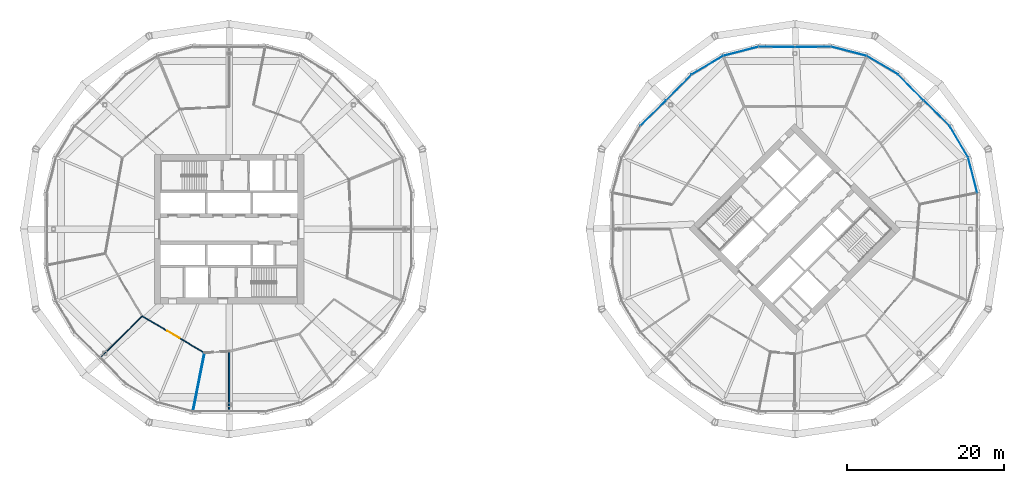
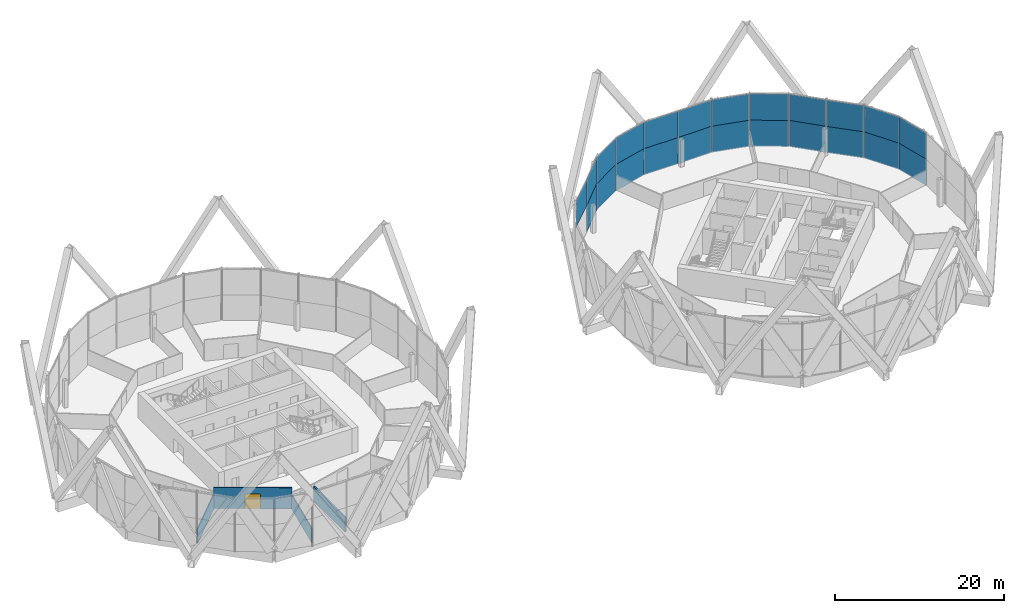
# One storey, part 21 of 28: 23 plates, 4 walls, 1 door, 1 opening, 4 elements without a shape of their own.
"""IFC4 building model written with IfcOpenShell, lengths in metres."""

from ifc_helpers import new_model, si_unit, direction, frame, frame_2d, origin, origin_2d, place, context, subcontext, project, spatial, rectangle, extrude, material, layer, layer_set, type_object, element, fill, aggregate, save


model = new_model("IFC4")

# Units and contexts
model_context = context("Model", 3, precision=1e-05, world=origin(), true_north=direction((0.0, 1.0)))
body_context = subcontext(model_context, "Body", "Model", "MODEL_VIEW")
ifc_project = project(units=[si_unit("LENGTHUNIT", "METRE"), si_unit("AREAUNIT", "SQUARE_METRE"), si_unit("VOLUMEUNIT", "CUBIC_METRE"), si_unit("PLANEANGLEUNIT", "RADIAN"), si_unit("MASSUNIT", "GRAM", prefix="KILO")], contexts=[model_context])

# Site, building, storey
site_placement = place(None, origin())
site = spatial("IfcSite", under=ifc_project, at=site_placement, CompositionType="ELEMENT")
building_placement = place(site_placement, origin())
building = spatial("IfcBuilding", under=site, at=building_placement, Name="Ogive Gate Towers", CompositionType="ELEMENT")
storey_placement = place(building_placement, frame((0.0, 0.0, 115.199951171875)))
storey = spatial("IfcBuildingStorey", under=building, at=storey_placement, Name="L27", CompositionType="ELEMENT", Elevation=115.199951171875)

# Curtain wall, plates
ifc_material_1 = material(Name="Pale metal aluminium", Category="aluminium")
curtain_wall_type = type_object("IfcCurtainWallType", Name="Tower unitised wall, low zone", PredefinedType="NOTDEFINED", material=ifc_material_1)
curtain_wall_1_placement = place(storey_placement, origin())
curtain_wall_1 = element("IfcCurtainWall", 1, at=curtain_wall_1_placement, inside=storey, type_object=curtain_wall_type, Name="CW1 T2 ECW01", PredefinedType="NOTDEFINED")
ifc_material_2 = material(Name="Clear glass", Category="glass")
ifc_layer_1 = layer(ifc_material_2, 0.028076171875)
ifc_layer_set_1 = layer_set([ifc_layer_1], Name="Tower unitised wall, low zone glass panel")
plate_type = type_object("IfcPlateType", Name="Tower unitised wall, low zone glass panel", PredefinedType="CURTAIN_PANEL", material=ifc_layer_set_1)
plate_1_placement = place(storey_placement, frame((58.626220703125, 6.869873046875, -0.2041015625), z_axis=(0.0, 0.0, 1.0), x_axis=(-0.248977260623, 0.96850933072, 0.0)))
plate_1 = element("IfcPlate", 2, at=plate_1_placement, type_object=plate_type, Name="CW1 glass panel", PredefinedType="CURTAIN_PANEL", context=body_context, shape_type="SweptSolid", body=[
    extrude(rectangle(XDim=4.60791015625, YDim=0.028076171875, at=origin_2d()), origin(), (0.0, 0.0, 1.0), 3.803955078125),
])
plate_2_placement = place(storey_placement, frame((58.626220703125, 6.869873046875, 3.60009765625), z_axis=(0.0, 0.0, 1.0), x_axis=(-0.248977260623, 0.96850933072, 0.0)))
plate_2 = element("IfcPlate", 3, at=plate_2_placement, type_object=plate_type, Name="CW1 glass panel", PredefinedType="CURTAIN_PANEL", context=body_context, shape_type="SweptSolid", body=[
    extrude(rectangle(XDim=4.60791015625, YDim=0.028076171875, at=origin_2d()), origin(), (0.0, 0.0, 1.0), 3.803955078125),
])
plate_3_placement = place(storey_placement, frame((56.856689453125, 11.141357421875, -0.2041015625), z_axis=(0.0, 0.0, 1.0), x_axis=(-0.508770980552, 0.860901904603, 0.0)))
plate_3 = element("IfcPlate", 4, at=plate_3_placement, type_object=plate_type, Name="CW1 glass panel", PredefinedType="CURTAIN_PANEL", context=body_context, shape_type="SweptSolid", body=[
    extrude(rectangle(XDim=4.60791015625, YDim=0.028076171875, at=origin_2d()), origin(), (0.0, 0.0, 1.0), 3.803955078125),
])
plate_4_placement = place(storey_placement, frame((56.856689453125, 11.141357421875, 3.60009765625), z_axis=(0.0, 0.0, 1.0), x_axis=(-0.508770980552, 0.860901904603, 0.0)))
plate_4 = element("IfcPlate", 5, at=plate_4_placement, type_object=plate_type, Name="CW1 glass panel", PredefinedType="CURTAIN_PANEL", context=body_context, shape_type="SweptSolid", body=[
    extrude(rectangle(XDim=4.60791015625, YDim=0.028076171875, at=origin_2d()), origin(), (0.0, 0.0, 1.0), 3.803955078125),
])
plate_5_placement = place(storey_placement, frame((54.021240234375, 14.765380859375, -0.2041015625), z_axis=(0.0, 0.0, 1.0), x_axis=(-0.714350554462, 0.699788028863, 0.0)))
plate_5 = element("IfcPlate", 6, at=plate_5_placement, type_object=plate_type, Name="CW1 glass panel", PredefinedType="CURTAIN_PANEL", context=body_context, shape_type="SweptSolid", body=[
    extrude(rectangle(XDim=4.55078125, YDim=0.028076171875, at=origin_2d()), origin(), (0.0, 0.0, 1.0), 3.803955078125),
])
plate_6_placement = place(storey_placement, frame((54.021240234375, 14.765380859375, 3.60009765625), z_axis=(0.0, 0.0, 1.0), x_axis=(-0.714350554462, 0.699788028863, 0.0)))
plate_6 = element("IfcPlate", 7, at=plate_6_placement, type_object=plate_type, Name="CW1 glass panel", PredefinedType="CURTAIN_PANEL", context=body_context, shape_type="SweptSolid", body=[
    extrude(rectangle(XDim=4.55078125, YDim=0.028076171875, at=origin_2d()), origin(), (0.0, 0.0, 1.0), 3.803955078125),
])
aggregate(curtain_wall_1, [plate_1, plate_2, plate_3, plate_4, plate_5, plate_6])

curtain_wall_2_placement = place(storey_placement, origin())
curtain_wall_2 = element("IfcCurtainWall", 8, at=curtain_wall_2_placement, inside=storey, type_object=curtain_wall_type, Name="CW1 T2 ECW02", PredefinedType="NOTDEFINED")
plate_7_placement = place(storey_placement, frame((50.765380859375, 18.021240234375, -0.2041015625), z_axis=(0.0, 0.0, 1.0), x_axis=(-0.699788028863, 0.714350554462, 0.0)))
plate_7 = element("IfcPlate", 9, at=plate_7_placement, type_object=plate_type, Name="CW1 glass panel", PredefinedType="CURTAIN_PANEL", context=body_context, shape_type="SweptSolid", body=[
    extrude(rectangle(XDim=4.55078125, YDim=0.028076171875, at=origin_2d()), origin(), (0.0, 0.0, 1.0), 3.803955078125),
])
plate_8_placement = place(storey_placement, frame((50.765380859375, 18.021240234375, 3.60009765625), z_axis=(0.0, 0.0, 1.0), x_axis=(-0.699788028863, 0.714350554462, 0.0)))
plate_8 = element("IfcPlate", 10, at=plate_8_placement, type_object=plate_type, Name="CW1 glass panel", PredefinedType="CURTAIN_PANEL", context=body_context, shape_type="SweptSolid", body=[
    extrude(rectangle(XDim=4.55078125, YDim=0.028076171875, at=origin_2d()), origin(), (0.0, 0.0, 1.0), 3.803955078125),
])
plate_9_placement = place(storey_placement, frame((47.141357421875, 20.856689453125, -0.2041015625), z_axis=(0.0, 0.0, 1.0), x_axis=(-0.860901904603, 0.508770980552, 0.0)))
plate_9 = element("IfcPlate", 11, at=plate_9_placement, type_object=plate_type, Name="CW1 glass panel", PredefinedType="CURTAIN_PANEL", context=body_context, shape_type="SweptSolid", body=[
    extrude(rectangle(XDim=4.60791015625, YDim=0.028076171875, at=origin_2d()), origin(), (0.0, 0.0, 1.0), 3.803955078125),
])
plate_10_placement = place(storey_placement, frame((47.141357421875, 20.856689453125, 3.60009765625), z_axis=(0.0, 0.0, 1.0), x_axis=(-0.860901904603, 0.508770980552, 0.0)))
plate_10 = element("IfcPlate", 12, at=plate_10_placement, type_object=plate_type, Name="CW1 glass panel", PredefinedType="CURTAIN_PANEL", context=body_context, shape_type="SweptSolid", body=[
    extrude(rectangle(XDim=4.60791015625, YDim=0.028076171875, at=origin_2d()), origin(), (0.0, 0.0, 1.0), 3.803955078125),
])
plate_11_placement = place(storey_placement, frame((42.869873046875, 22.626220703125, -0.2041015625), z_axis=(0.0, 0.0, 1.0), x_axis=(-0.96850933072, 0.248977260623, 0.0)))
plate_11 = element("IfcPlate", 13, at=plate_11_placement, type_object=plate_type, Name="CW1 glass panel", PredefinedType="CURTAIN_PANEL", context=body_context, shape_type="SweptSolid", body=[
    extrude(rectangle(XDim=4.60791015625, YDim=0.028076171875, at=origin_2d()), origin(), (0.0, 0.0, 1.0), 3.803955078125),
])
plate_12_placement = place(storey_placement, frame((42.869873046875, 22.626220703125, 3.60009765625), z_axis=(0.0, 0.0, 1.0), x_axis=(-0.96850933072, 0.248977260623, 0.0)))
plate_12 = element("IfcPlate", 14, at=plate_12_placement, type_object=plate_type, Name="CW1 glass panel", PredefinedType="CURTAIN_PANEL", context=body_context, shape_type="SweptSolid", body=[
    extrude(rectangle(XDim=4.60791015625, YDim=0.028076171875, at=origin_2d()), origin(), (0.0, 0.0, 1.0), 3.803955078125),
])
plate_13_placement = place(storey_placement, frame((38.30224609375, 23.18359375, -0.2041015625), z_axis=(0.0, 0.0, 1.0), x_axis=(-0.999947161375, -0.010279808233, 0.0)))
plate_13 = element("IfcPlate", 15, at=plate_13_placement, type_object=plate_type, Name="CW1 glass panel", PredefinedType="CURTAIN_PANEL", context=body_context, shape_type="SweptSolid", body=[
    extrude(rectangle(XDim=4.55078125, YDim=0.028076171875, at=origin_2d()), origin(), (0.0, 0.0, 1.0), 3.803955078125),
])
plate_14_placement = place(storey_placement, frame((38.30224609375, 23.18359375, 3.60009765625), z_axis=(0.0, 0.0, 1.0), x_axis=(-0.999947161375, -0.010279808233, 0.0)))
plate_14 = element("IfcPlate", 16, at=plate_14_placement, type_object=plate_type, Name="CW1 glass panel", PredefinedType="CURTAIN_PANEL", context=body_context, shape_type="SweptSolid", body=[
    extrude(rectangle(XDim=4.55078125, YDim=0.028076171875, at=origin_2d()), origin(), (0.0, 0.0, 1.0), 3.803955078125),
])
aggregate(curtain_wall_2, [plate_7, plate_8, plate_9, plate_10, plate_11, plate_12, plate_13, plate_14])

curtain_wall_3_placement = place(storey_placement, origin())
curtain_wall_3 = element("IfcCurtainWall", 17, at=curtain_wall_3_placement, inside=storey, type_object=curtain_wall_type, Name="CW1 T2 ECW03", PredefinedType="NOTDEFINED")
plate_15_placement = place(storey_placement, frame((33.69775390625, 23.18359375, -0.2041015625), z_axis=(0.0, 0.0, 1.0), x_axis=(-0.999947161375, 0.010279808233, 0.0)))
plate_15 = element("IfcPlate", 18, at=plate_15_placement, type_object=plate_type, Name="CW1 glass panel", PredefinedType="CURTAIN_PANEL", context=body_context, shape_type="SweptSolid", body=[
    extrude(rectangle(XDim=4.55078125, YDim=0.028076171875, at=origin_2d()), origin(), (0.0, 0.0, 1.0), 3.803955078125),
])
plate_16_placement = place(storey_placement, frame((33.69775390625, 23.18359375, 3.60009765625), z_axis=(0.0, 0.0, 1.0), x_axis=(-0.999947161375, 0.010279808233, 0.0)))
plate_16 = element("IfcPlate", 19, at=plate_16_placement, type_object=plate_type, Name="CW1 glass panel", PredefinedType="CURTAIN_PANEL", context=body_context, shape_type="SweptSolid", body=[
    extrude(rectangle(XDim=4.55078125, YDim=0.028076171875, at=origin_2d()), origin(), (0.0, 0.0, 1.0), 3.803955078125),
])
plate_17_placement = place(storey_placement, frame((29.130126953125, 22.626220703125, -0.2041015625), z_axis=(0.0, 0.0, 1.0), x_axis=(-0.96850933072, -0.248977260623, 0.0)))
plate_17 = element("IfcPlate", 20, at=plate_17_placement, type_object=plate_type, Name="CW1 glass panel", PredefinedType="CURTAIN_PANEL", context=body_context, shape_type="SweptSolid", body=[
    extrude(rectangle(XDim=4.60791015625, YDim=0.028076171875, at=origin_2d()), origin(), (0.0, 0.0, 1.0), 3.803955078125),
])
plate_18_placement = place(storey_placement, frame((29.130126953125, 22.626220703125, 3.60009765625), z_axis=(0.0, 0.0, 1.0), x_axis=(-0.96850933072, -0.248977260623, 0.0)))
plate_18 = element("IfcPlate", 21, at=plate_18_placement, type_object=plate_type, Name="CW1 glass panel", PredefinedType="CURTAIN_PANEL", context=body_context, shape_type="SweptSolid", body=[
    extrude(rectangle(XDim=4.60791015625, YDim=0.028076171875, at=origin_2d()), origin(), (0.0, 0.0, 1.0), 3.803955078125),
])
plate_19_placement = place(storey_placement, frame((24.858642578125, 20.856689453125, -0.2041015625), z_axis=(0.0, 0.0, 1.0), x_axis=(-0.860901904603, -0.508770980552, 0.0)))
plate_19 = element("IfcPlate", 22, at=plate_19_placement, type_object=plate_type, Name="CW1 glass panel", PredefinedType="CURTAIN_PANEL", context=body_context, shape_type="SweptSolid", body=[
    extrude(rectangle(XDim=4.60791015625, YDim=0.028076171875, at=origin_2d()), origin(), (0.0, 0.0, 1.0), 3.803955078125),
])
plate_20_placement = place(storey_placement, frame((24.858642578125, 20.856689453125, 3.60009765625), z_axis=(0.0, 0.0, 1.0), x_axis=(-0.860901904603, -0.508770980552, 0.0)))
plate_20 = element("IfcPlate", 23, at=plate_20_placement, type_object=plate_type, Name="CW1 glass panel", PredefinedType="CURTAIN_PANEL", context=body_context, shape_type="SweptSolid", body=[
    extrude(rectangle(XDim=4.60791015625, YDim=0.028076171875, at=origin_2d()), origin(), (0.0, 0.0, 1.0), 3.803955078125),
])
plate_21_placement = place(storey_placement, frame((21.234619140625, 18.021240234375, -0.2041015625), z_axis=(0.0, 0.0, 1.0), x_axis=(-0.699788028863, -0.714350554462, 0.0)))
plate_21 = element("IfcPlate", 24, at=plate_21_placement, type_object=plate_type, Name="CW1 glass panel", PredefinedType="CURTAIN_PANEL", context=body_context, shape_type="SweptSolid", body=[
    extrude(rectangle(XDim=4.55078125, YDim=0.028076171875, at=origin_2d()), origin(), (0.0, 0.0, 1.0), 3.803955078125),
])
plate_22_placement = place(storey_placement, frame((21.234619140625, 18.021240234375, 3.60009765625), z_axis=(0.0, 0.0, 1.0), x_axis=(-0.699788028863, -0.714350554462, 0.0)))
plate_22 = element("IfcPlate", 25, at=plate_22_placement, type_object=plate_type, Name="CW1 glass panel", PredefinedType="CURTAIN_PANEL", context=body_context, shape_type="SweptSolid", body=[
    extrude(rectangle(XDim=4.55078125, YDim=0.028076171875, at=origin_2d()), origin(), (0.0, 0.0, 1.0), 3.803955078125),
])
aggregate(curtain_wall_3, [plate_15, plate_16, plate_17, plate_18, plate_19, plate_20, plate_21, plate_22])

# Curtain wall, plate
curtain_wall_4_placement = place(storey_placement, origin())
curtain_wall_4 = element("IfcCurtainWall", 26, at=curtain_wall_4_placement, inside=storey, type_object=curtain_wall_type, Name="CW1 T2 ECW04", PredefinedType="NOTDEFINED")
plate_23_placement = place(storey_placement, frame((17.978759765625, 14.765380859375, 3.60009765625), z_axis=(0.0, 0.0, 1.0), x_axis=(-0.714350554462, -0.699788028863, 0.0)))
plate_23 = element("IfcPlate", 27, at=plate_23_placement, type_object=plate_type, Name="CW1 glass panel", PredefinedType="CURTAIN_PANEL", context=body_context, shape_type="SweptSolid", body=[
    extrude(rectangle(XDim=4.55078125, YDim=0.028076171875, at=origin_2d()), origin(), (0.0, 0.0, 1.0), 3.803955078125),
])
aggregate(curtain_wall_4, [plate_23])

# Walls
ifc_material_3 = material(Name="Gypsum board acoustic partition")
ifc_layer_2 = layer(ifc_material_3, 0.175048828125)
ifc_layer_set_2 = layer_set([ifc_layer_2], Name="Acoustic partition 175")
wall_type_1 = type_object("IfcWallType", Name="Acoustic partition 175", PredefinedType="PARTITIONING", material=ifc_layer_set_2)
wall_1_placement = place(storey_placement, frame((-36.0, -23.05908203125, 0.0), z_axis=(0.0, 0.0, 1.0), x_axis=(0.0, 1.0, 0.0)))
element("IfcWall", 28, at=wall_1_placement, inside=storey, type_object=wall_type_1, Name="Partition T1-L27-011", PredefinedType="PARTITIONING", context=body_context, shape_type="SweptSolid", body=[
    extrude(rectangle(XDim=7.41162109375, YDim=0.175048828125, at=frame_2d((3.705810546875, 0.0))), origin(), (0.0, 0.0, 1.0), 2.10009765625),
])
ifc_material_4 = material(Name="Gypsum board partition")
ifc_layer_3 = layer(ifc_material_4, 0.125)
ifc_layer_set_3 = layer_set([ifc_layer_3], Name="Partition 125")
wall_type_2 = type_object("IfcWallType", Name="Partition 125", PredefinedType="PARTITIONING", material=ifc_layer_set_3)
wall_2_placement = place(storey_placement, frame((-52.413330078125, -16.413330078125, 0.0), z_axis=(0.0, 0.0, 1.0), x_axis=(0.707106781187, 0.707106781187, 0.0)))
element("IfcWall", 29, at=wall_2_placement, inside=storey, type_object=wall_type_2, Name="Partition T1-L27-009", PredefinedType="PARTITIONING", context=body_context, shape_type="SweptSolid", body=[
    extrude(rectangle(XDim=7.489501953125, YDim=0.125, at=frame_2d((3.74462890625, 0.0))), origin(), (0.0, 0.0, 1.0), 2.10009765625),
])
wall_3_placement = place(storey_placement, frame((-40.5888671875, -23.1083984375, 0.0), z_axis=(0.0, 0.0, 1.0), x_axis=(0.194777518337, 0.980847449072, 0.0)))
element("IfcWall", 30, at=wall_3_placement, inside=storey, type_object=wall_type_2, Name="Partition T1-L27-010", PredefinedType="PARTITIONING", context=body_context, shape_type="SweptSolid", body=[
    extrude(rectangle(XDim=7.4365234375, YDim=0.125, at=frame_2d((3.71826171875, 0.0))), origin(), (0.0, 0.0, 1.0), 2.10009765625),
])

# Wall, opening, door
wall_4_placement = place(storey_placement, frame((-47.0732421875, -11.0732421875, 0.0), z_axis=(0.0, 0.0, 1.0), x_axis=(0.861644119386, -0.507512966856, 0.0)))
wall_4 = element("IfcWall", 31, at=wall_4_placement, inside=storey, type_object=wall_type_2, Name="Partition T1-L27-019", PredefinedType="PARTITIONING", context=body_context, shape_type="SweptSolid", body=[
    extrude(rectangle(XDim=9.220703125, YDim=0.125, at=frame_2d((4.6103515625, 0.0))), origin(), (0.0, 0.0, 1.0), 3.050048828125),
])
opening_placement = place(wall_4_placement, frame((3.7099609375, 0.0, 0.0)))
opening = element("IfcOpeningElement", 32, at=opening_placement, cuts=wall_4, Name="Opening T1-L27-D05", PredefinedType="OPENING", context=body_context, shape_type="SweptSolid", body=[
    extrude(rectangle(XDim=1.800048828125, YDim=2.10009765625, at=frame_2d((0.89990234375, 1.050048828125))), frame((0.0, 0.072509765625, 0.0), z_axis=(0.0, -1.0, 0.0), x_axis=(1.0, 0.0, 0.0)), (0.0, 0.0, 1.0), 0.14501953125),
])
ifc_material_5 = material(Name="Timber door", Category="wood")
door_type = type_object("IfcDoorType", Name="Door pair 1800", OperationType="NOTDEFINED", PredefinedType="DOOR", material=ifc_material_5)
door_placement = place(opening_placement, origin())
door = element("IfcDoor", 33, at=door_placement, inside=storey, type_object=door_type, Name="Door T1-L27-D05", OperationType="DOUBLE_DOOR_DOUBLE_SWING", OverallHeight=2.10009765625, OverallWidth=1.800048828125, PredefinedType="DOOR", context=body_context, shape_type="SweptSolid", body=[
    extrude(rectangle(XDim=1.800048828125, YDim=2.10009765625, at=frame_2d((0.89990234375, 1.050048828125))), frame((0.0, 0.02490234375, 0.0), z_axis=(0.0, -1.0, 0.0), x_axis=(1.0, 0.0, 0.0)), (0.0, 0.0, 1.0), 0.050048828125),
])
fill(opening, door)

save(model, "model.ifc")
